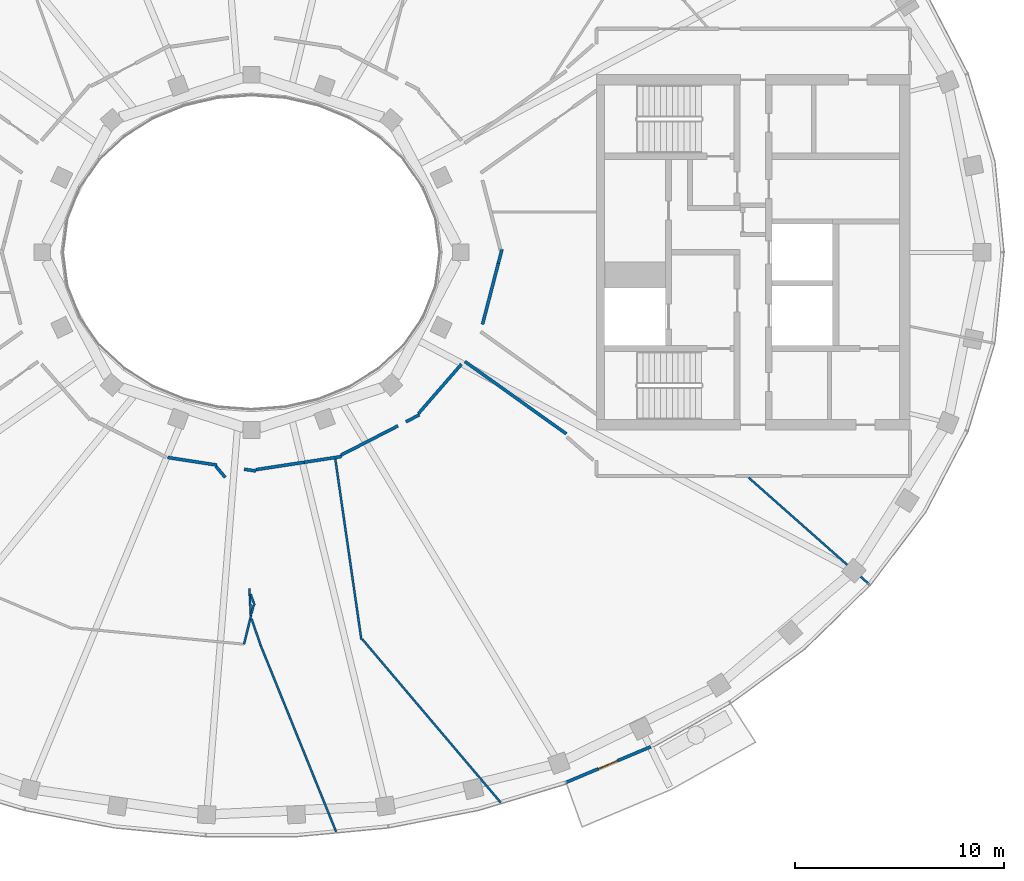
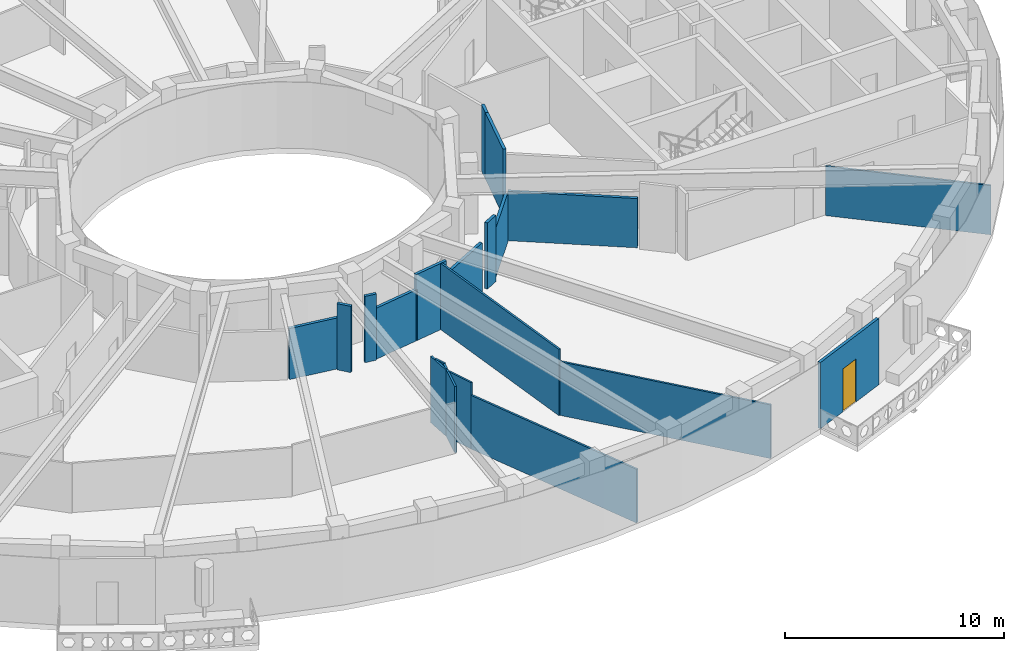
# One storey, part 6 of 18: 21 walls, 1 door, 1 opening.
"""IFC4 building model written with IfcOpenShell, lengths in metres."""

import ifcopenshell
import ifcopenshell.guid

model = None  # the IFC model being written
_history = None  # IfcOwnerHistory: only IFC2X3 demands one
_inside = {}  # id of a spatial element -> (the spatial element, [elements in it])
_under = {}  # id of a project, library or spatial element -> (it, [spatial elements below it])
_declared = {}  # id of a project -> (the project, [libraries it declares])
_typed = {}  # id of a type object -> (the type object, [elements of that type])
_made_of = {}  # id of a material, layer set ... -> (it, [elements and type objects made of it])


def new_model(schema):
    """Start an empty IFC model of exactly this schema.

    Asked for "IFC4X3", IfcOpenShell would pick the latest addendum, in which some entities
    have other attributes; the version numbers below select the first issue.
    IFC2X3 requires an IfcOwnerHistory on every rooted entity: one is made here for all.
    """
    global model, _history
    if schema == "IFC4X3":
        model = ifcopenshell.file(schema_version=(4, 3, 0, 0))
    else:
        model = ifcopenshell.file(schema=schema)
    _inside.clear()
    _under.clear()
    _declared.clear()
    _typed.clear()
    _made_of.clear()
    _history = None
    if model.schema == "IFC2X3":
        org = make("IfcOrganization", Name="unknown")
        user = make(
            "IfcPersonAndOrganization",
            ThePerson=make("IfcPerson", FamilyName="unknown"),
            TheOrganization=org,
        )
        app = make(
            "IfcApplication",
            ApplicationDeveloper=org,
            Version="unknown",
            ApplicationFullName="unknown",
            ApplicationIdentifier="unknown",
        )
        _history = make(
            "IfcOwnerHistory",
            OwningUser=user,
            OwningApplication=app,
            ChangeAction="ADDED",
            CreationDate=0,
        )
    return model


def make(cls, **values):
    """One entity of the class cls with the attributes given. An attribute that is None is left unset."""
    return model.create_entity(
        cls, **{name: value for name, value in values.items() if value is not None}
    )


def rooted(cls, **values):
    """An entity with a GlobalId (a new one), such as an element, a storey or a relation."""
    return make(cls, GlobalId=ifcopenshell.guid.new(), OwnerHistory=_history, **values)


def si_unit(unit_type, name, prefix=None):
    """IfcSIUnit, for example si_unit("LENGTHUNIT", "METRE", prefix="MILLI")."""
    return make("IfcSIUnit", UnitType=unit_type, Prefix=prefix, Name=name)


def assignment(units):
    """IfcUnitAssignment: the units of a project."""
    return None if units is None else make("IfcUnitAssignment", Units=units)


def point(xyz):
    """IfcCartesianPoint."""
    return None if xyz is None else make("IfcCartesianPoint", Coordinates=xyz)


def direction(xyz):
    """IfcDirection."""
    return None if xyz is None else make("IfcDirection", DirectionRatios=xyz)


def frame(location, z_axis=None, x_axis=None):
    """IfcAxis2Placement3D, a coordinate frame: its origin and axes. An axis left out is left unset."""
    return make(
        "IfcAxis2Placement3D",
        Location=point(location),
        Axis=direction(z_axis),
        RefDirection=direction(x_axis),
    )


def frame_2d(location, x_axis=None):
    """IfcAxis2Placement2D, a coordinate frame in the plane: its origin and x axis."""
    return make(
        "IfcAxis2Placement2D", Location=point(location), RefDirection=direction(x_axis)
    )


def origin():
    """The frame at (0, 0, 0) with its axes left unset."""
    return frame((0.0, 0.0, 0.0))


def place(relative_to, where):
    """IfcLocalPlacement: puts the frame where relative to a parent placement (None: the world)."""
    return make(
        "IfcLocalPlacement", PlacementRelTo=relative_to, RelativePlacement=where
    )


def context(
    kind, dimensions, precision=None, world=None, true_north=None, identifier=None
):
    """IfcGeometricRepresentationContext, for example the 3D "Model" context."""
    return make(
        "IfcGeometricRepresentationContext",
        ContextIdentifier=identifier,
        ContextType=kind,
        CoordinateSpaceDimension=dimensions,
        Precision=precision,
        WorldCoordinateSystem=world,
        TrueNorth=true_north,
    )


def subcontext(parent, identifier, kind, view, scale=None):
    """IfcGeometricRepresentationSubContext, for example "Body" below "Model"."""
    return make(
        "IfcGeometricRepresentationSubContext",
        ContextIdentifier=identifier,
        ContextType=kind,
        ParentContext=parent,
        TargetScale=scale,
        TargetView=view,
    )


def project(units=None, contexts=None):
    """IfcProject with its units and contexts."""
    return rooted(
        "IfcProject",
        Name="project",
        RepresentationContexts=contexts,
        UnitsInContext=assignment(units),
    )


def spatial(cls, under=None, at=None, **own):
    """A site, building, storey or space (cls), placed at a placement, below another one or the project."""
    s = rooted(cls, ObjectPlacement=at, **own)
    if under is not None:
        _under.setdefault(under.id(), (under, []))[1].append(s)
    return s


def profile(cls, at=None, kind="AREA", **sizes):
    """A parametric profile (cls). Its sizes go by their IFC names, for example OverallWidth=200.0."""
    return make(cls, ProfileType=kind, Position=at, **sizes)


def rectangle(**sizes):
    """IfcRectangleProfileDef."""
    return profile("IfcRectangleProfileDef", **sizes)


def extrude(swept, where, along, depth):
    """IfcExtrudedAreaSolid: the profile swept, set in the frame where, extruded along a direction by depth."""
    return make(
        "IfcExtrudedAreaSolid",
        SweptArea=swept,
        Position=where,
        ExtrudedDirection=direction(along),
        Depth=depth,
    )


def shape(context_of_items, identifier, shape_type, items):
    """IfcShapeRepresentation: the items that make up one representation, for example the "Body"."""
    return make(
        "IfcShapeRepresentation",
        ContextOfItems=context_of_items,
        RepresentationIdentifier=identifier,
        RepresentationType=shape_type,
        Items=items,
    )


def material(Name=None, Category=None):
    """IfcMaterial."""
    return make("IfcMaterial", Name=Name, Category=Category)


def layer(
    of_material, thickness, ventilated=None, Name=None, Category=None, Priority=None
):
    """IfcMaterialLayer: one layer of a wall or slab, of a material (None: an air gap)."""
    return make(
        "IfcMaterialLayer",
        Material=of_material,
        LayerThickness=thickness,
        IsVentilated=ventilated,
        Name=Name,
        Category=Category,
        Priority=Priority,
    )


def layer_set(layers, Name=None):
    """IfcMaterialLayerSet."""
    return make("IfcMaterialLayerSet", MaterialLayers=layers, LayerSetName=Name)


def made_of(thing, what):
    """Note that an element or type object is made of a material, layer set ...; save() writes the relation."""
    if what is not None:
        _made_of.setdefault(what.id(), (what, []))[1].append(thing)
    return thing


def type_object(cls, material=None, **own):
    """A type object (cls), such as IfcWallType, which elements share."""
    return made_of(rooted(cls, **own), material)


def element(
    cls,
    number,
    at=None,
    inside=None,
    cuts=None,
    type_object=None,
    material=None,
    context=None,
    identifier="Body",
    shape_type=None,
    held_by="IfcProductDefinitionShape",
    body=None,
    shapes=None,
    **own,
):
    """One element of the class cls, such as IfcWall. Its Tag is "e" and its number.

    at: its placement. inside: the storey or other place that contains it. cuts: it is an
    opening in that element (IfcRelVoidsElement). A single representation is given by context,
    identifier, shape_type and body (its items); several are given by shapes. held_by: the class
    of the entity that holds the representations. save() writes the other relations.
    """
    e = rooted(cls, Tag="e%d" % number, ObjectPlacement=at, **own)
    if body is not None:
        shapes = [shape(context, identifier, shape_type, body)]
    if shapes is not None:
        e.Representation = make(held_by, Representations=shapes)
    if inside is not None:
        _inside.setdefault(inside.id(), (inside, []))[1].append(e)
    if cuts is not None:
        rooted(
            "IfcRelVoidsElement", RelatingBuildingElement=cuts, RelatedOpeningElement=e
        )
    if type_object is not None:
        _typed.setdefault(type_object.id(), (type_object, []))[1].append(e)
    return made_of(e, material)


def fill(opening, filler):
    """IfcRelFillsElement: the door or window that sits in an opening."""
    return rooted(
        "IfcRelFillsElement",
        RelatingOpeningElement=opening,
        RelatedBuildingElement=filler,
    )


def aggregate(whole, parts):
    """IfcRelAggregates: a whole, such as a stair, and the parts it consists of."""
    return rooted("IfcRelAggregates", RelatingObject=whole, RelatedObjects=parts)


def save(model, path):
    """Write the relations noted so far, then the file.

    IfcRelAggregates (storeys below a building ...), IfcRelContainedInSpatialStructure (elements
    in a storey), IfcRelDefinesByType, IfcRelAssociatesMaterial and IfcRelDeclares: one each for
    every whole, place, type object, material and project.
    """
    for whole, parts in _under.values():
        aggregate(whole, parts)
    for where, things in _inside.values():
        rooted(
            "IfcRelContainedInSpatialStructure",
            RelatedElements=things,
            RelatingStructure=where,
        )
    for kind, things in _typed.values():
        rooted("IfcRelDefinesByType", RelatedObjects=things, RelatingType=kind)
    for what, things in _made_of.values():
        rooted("IfcRelAssociatesMaterial", RelatedObjects=things, RelatingMaterial=what)
    for by, libraries in _declared.values():
        rooted("IfcRelDeclares", RelatingContext=by, RelatedDefinitions=libraries)
    model.write(path)


model = new_model("IFC4")

# Units and contexts
model_context = context("Model", 3, precision=1e-05, world=origin(), true_north=direction((0.0, 1.0)))
body_context = subcontext(model_context, "Body", "Model", "MODEL_VIEW")
ifc_project = project(units=[si_unit("LENGTHUNIT", "METRE"), si_unit("AREAUNIT", "SQUARE_METRE"), si_unit("VOLUMEUNIT", "CUBIC_METRE"), si_unit("PLANEANGLEUNIT", "RADIAN"), si_unit("MASSUNIT", "GRAM", prefix="KILO")], contexts=[model_context])

# Site, building, storey
site_placement = place(None, origin())
site = spatial("IfcSite", under=ifc_project, at=site_placement, CompositionType="ELEMENT")
building_placement = place(site_placement, origin())
building = spatial("IfcBuilding", under=site, at=building_placement, Name="Noorbagh Ring Tower", CompositionType="ELEMENT")
storey_placement = place(building_placement, frame((0.0, 0.0, 319.0)))
storey = spatial("IfcBuildingStorey", under=building, at=storey_placement, Name="L69", CompositionType="ELEMENT", Elevation=319.0)

# Walls
ifc_material_1 = material(Name="Gypsum board on steel studs", Category="steel")
ifc_layer_1 = layer(ifc_material_1, 0.14990234375)
ifc_layer_set_1 = layer_set([ifc_layer_1], Name="Gypsum board on steel studs")
wall_type_1 = type_object("IfcWallType", Name="CORRIDOR PARTITION 150 EI 30", PredefinedType="PARTITIONING", material=ifc_layer_set_1)
wall_1_placement = place(storey_placement, frame((-4.010986328125, -9.81298828125, 0.0), z_axis=(0.0, 0.0, 1.0), x_axis=(0.988396550502, -0.151895552787, 0.0)))
element("IfcWall", 1, at=wall_1_placement, inside=storey, type_object=wall_type_1, Name="L69/wall/P43", PredefinedType="PARTITIONING", context=body_context, shape_type="SweptSolid", body=[
    extrude(rectangle(XDim=2.383544921875, YDim=0.14990234375, at=frame_2d((1.19189453125, 0.0))), origin(), (0.0, 0.0, 1.0), 2.85009765625),
])
wall_2_placement = place(storey_placement, frame((-1.698974609375, -10.243896484375, 0.0), z_axis=(0.0, 0.0, 1.0), x_axis=(0.646838916267, -0.762626655974, 0.0)))
element("IfcWall", 2, at=wall_2_placement, inside=storey, type_object=wall_type_1, Name="L69/wall/P44", PredefinedType="PARTITIONING", context=body_context, shape_type="SweptSolid", body=[
    extrude(rectangle(XDim=0.68310546875, YDim=0.14990234375, at=frame_2d((0.341552734375, 0.0))), origin(), (0.0, 0.0, 1.0), 3.699951171875),
])
wall_3_placement = place(storey_placement, frame((-0.34912109375, -10.375, 0.0), z_axis=(0.0, 0.0, 1.0), x_axis=(0.98872708804, -0.149728906283, 0.0)))
element("IfcWall", 3, at=wall_3_placement, inside=storey, type_object=wall_type_1, Name="L69/wall/P46", PredefinedType="PARTITIONING", context=body_context, shape_type="SweptSolid", body=[
    extrude(rectangle(XDim=0.5673828125, YDim=0.14990234375, at=frame_2d((0.28369140625, 0.0))), origin(), (0.0, 0.0, 1.0), 3.699951171875),
])
wall_4_placement = place(storey_placement, frame((0.2119140625, -10.39599609375, 0.0), z_axis=(0.0, 0.0, 1.0), x_axis=(0.988452196461, 0.151533017232, 0.0)))
element("IfcWall", 4, at=wall_4_placement, inside=storey, type_object=wall_type_1, Name="L69/wall/P53", PredefinedType="PARTITIONING", context=body_context, shape_type="SweptSolid", body=[
    extrude(rectangle(XDim=2.4150390625, YDim=0.14990234375, at=frame_2d((1.20751953125, 0.0))), origin(), (0.0, 0.0, 1.0), 2.85009765625),
])
wall_5_placement = place(storey_placement, frame((2.52099609375, -10.0419921875, 0.0), z_axis=(0.0, 0.0, 1.0), x_axis=(0.988396814715, 0.151893833519, 0.0)))
element("IfcWall", 5, at=wall_5_placement, inside=storey, type_object=wall_type_1, Name="L69/wall/P56", PredefinedType="PARTITIONING", context=body_context, shape_type="SweptSolid", body=[
    extrude(rectangle(XDim=1.796875, YDim=0.14990234375, at=frame_2d((0.8984375, 0.0))), origin(), (0.0, 0.0, 1.0), 3.699951171875),
])
wall_6_placement = place(storey_placement, frame((4.27587890625, -9.7041015625, 0.0), z_axis=(0.0, 0.0, 1.0), x_axis=(0.889338682752, 0.45724906491, 0.0)))
element("IfcWall", 6, at=wall_6_placement, inside=storey, type_object=wall_type_1, Name="L69/wall/P58", PredefinedType="PARTITIONING", context=body_context, shape_type="SweptSolid", body=[
    extrude(rectangle(XDim=3.06640625, YDim=0.14990234375, at=frame_2d((1.533203125, 0.0))), origin(), (0.0, 0.0, 1.0), 2.85009765625),
])
wall_7_placement = place(storey_placement, frame((7.385986328125, -8.10595703125, 0.0), z_axis=(0.0, 0.0, 1.0), x_axis=(0.888883911649, 0.458132504426, 0.0)))
element("IfcWall", 7, at=wall_7_placement, inside=storey, type_object=wall_type_1, Name="L69/wall/P62", PredefinedType="PARTITIONING", context=body_context, shape_type="SweptSolid", body=[
    extrude(rectangle(XDim=0.731201171875, YDim=0.14990234375, at=frame_2d((0.36572265625, 0.0))), origin(), (0.0, 0.0, 1.0), 3.699951171875),
])
wall_8_placement = place(storey_placement, frame((7.988037109375, -7.7109375, 0.0), z_axis=(0.0, 0.0, 1.0), x_axis=(0.656702027819, 0.754150148616, 0.0)))
element("IfcWall", 8, at=wall_8_placement, inside=storey, type_object=wall_type_1, Name="L69/wall/P64", PredefinedType="PARTITIONING", context=body_context, shape_type="SweptSolid", body=[
    extrude(rectangle(XDim=3.129150390625, YDim=0.14990234375, at=frame_2d((1.564453125, 0.0))), origin(), (0.0, 0.0, 1.0), 2.75),
])
wall_9_placement = place(storey_placement, frame((10.2080078125, -5.220947265625, 0.0), z_axis=(0.0, 0.0, 1.0), x_axis=(0.814106730479, -0.580715275663, 0.0)))
element("IfcWall", 9, at=wall_9_placement, inside=storey, type_object=wall_type_1, Name="L69/wall/P66", PredefinedType="PARTITIONING", context=body_context, shape_type="SweptSolid", body=[
    extrude(rectangle(XDim=5.963623046875, YDim=0.14990234375, at=frame_2d((2.98193359375, 0.0))), origin(), (0.0, 0.0, 1.0), 2.75),
])
wall_10_placement = place(storey_placement, frame((11.051025390625, -3.445068359375, 0.0), z_axis=(0.0, 0.0, 1.0), x_axis=(0.25119126736, 0.967937470709, 0.0)))
element("IfcWall", 10, at=wall_10_placement, inside=storey, type_object=wall_type_1, Name="L69/wall/P70", PredefinedType="PARTITIONING", context=body_context, shape_type="SweptSolid", body=[
    extrude(rectangle(XDim=3.0693359375, YDim=0.14990234375, at=frame_2d((1.53466796875, 0.0))), origin(), (0.0, 0.0, 1.0), 3.699951171875),
])
wall_11_placement = place(storey_placement, frame((11.81005859375, -0.51904296875, 0.0), z_axis=(0.0, 0.0, 1.0), x_axis=(0.251845889869, 0.967767352082, 0.0)))
element("IfcWall", 11, at=wall_11_placement, inside=storey, type_object=wall_type_1, Name="L69/wall/P73", PredefinedType="PARTITIONING", context=body_context, shape_type="SweptSolid", body=[
    extrude(rectangle(XDim=0.690185546875, YDim=0.14990234375, at=frame_2d((0.34521484375, 0.0))), origin(), (0.0, 0.0, 1.0), 3.699951171875),
])

# Wall, opening, door
ifc_material_2 = material(Name="Insulated aluminium clad panel", Category="aluminium")
ifc_layer_2 = layer(ifc_material_2, 0.14990234375)
ifc_layer_set_2 = layer_set([ifc_layer_2], Name="Insulated aluminium clad panel")
wall_type_2 = type_object("IfcWallType", Name="ENV-WALL-DOOR", PredefinedType="STANDARD", material=ifc_layer_set_2)
wall_12_placement = place(storey_placement, frame((15.017822265625, -25.368896484375, 0.0), z_axis=(0.0, 0.0, 1.0), x_axis=(0.921816985161, 0.387625393736, 0.0)))
wall_12 = element("IfcWall", 12, at=wall_12_placement, inside=storey, type_object=wall_type_2, Name="Balcony door wall chord 39", PredefinedType="STANDARD", context=body_context, shape_type="SweptSolid", body=[
    extrude(rectangle(XDim=4.42578125, YDim=0.14990234375, at=frame_2d((2.212890625, 0.0))), origin(), (0.0, 0.0, 1.0), 3.699951171875),
])
opening_placement = place(wall_12_placement, frame((1.712890625, 0.0, 0.0)))
opening = element("IfcOpeningElement", 13, at=opening_placement, cuts=wall_12, Name="Opening D-BL", PredefinedType="OPENING", context=body_context, shape_type="SweptSolid", body=[
    extrude(rectangle(XDim=1.0, YDim=2.39990234375, at=frame_2d((0.5, 1.199951171875))), frame((0.0, 0.0849609375, 0.0), z_axis=(0.0, -1.0, 0.0), x_axis=(1.0, 0.0, 0.0)), (0.0, 0.0, 1.0), 0.169921875),
])
ifc_material_3 = material(Name="Aluminium and glass", Category="aluminium")
door_type = type_object("IfcDoorType", Name="ENV-DOOR-BALCONY", OperationType="SINGLE_SWING_LEFT", PredefinedType="DOOR", material=ifc_material_3)
door_placement = place(opening_placement, origin())
door = element("IfcDoor", 14, at=door_placement, inside=storey, type_object=door_type, Name="Balcony door chord 39", OperationType="SINGLE_SWING_RIGHT", OverallHeight=2.39990234375, OverallWidth=1.0, PredefinedType="DOOR", context=body_context, shape_type="SweptSolid", body=[
    extrude(rectangle(XDim=1.0, YDim=2.39990234375, at=frame_2d((0.5, 1.199951171875))), frame((0.0, 0.02490234375, 0.0), z_axis=(0.0, -1.0, 0.0), x_axis=(1.0, 0.0, 0.0)), (0.0, 0.0, 1.0), 0.050048828125),
])
fill(opening, door)

# Walls
ifc_material_4 = material(Name="Gypsum board on steel studs", Category="steel")
ifc_layer_3 = layer(ifc_material_4, 0.10009765625)
ifc_layer_set_3 = layer_set([ifc_layer_3], Name="Gypsum board on steel studs")
wall_type_3 = type_object("IfcWallType", Name="PARTITION 100 GYPSUM", PredefinedType="PARTITIONING", material=ifc_layer_set_3)
wall_13_placement = place(storey_placement, frame((-0.35791015625, -18.7451171875, 0.0), z_axis=(0.0, 0.0, 1.0), x_axis=(0.239227791755, 0.970963471842, 0.0)))
element("IfcWall", 15, at=wall_13_placement, inside=storey, type_object=wall_type_3, Name="L69/wall/P45", PredefinedType="PARTITIONING", context=body_context, shape_type="SweptSolid", body=[
    extrude(rectangle(XDim=1.442138671875, YDim=0.10009765625, at=frame_2d((0.72119140625, 0.0))), origin(), (0.0, 0.0, 1.0), 3.699951171875),
])
wall_14_placement = place(storey_placement, frame((-0.097900390625, -16.072998046875, 0.0), z_axis=(0.0, 0.0, 1.0), x_axis=(0.047905659678, -0.998851864778, 0.0)))
element("IfcWall", 16, at=wall_14_placement, inside=storey, type_object=wall_type_3, Name="L69/wall/P48", PredefinedType="PARTITIONING", context=body_context, shape_type="SweptSolid", body=[
    extrude(rectangle(XDim=1.29443359375, YDim=0.10009765625, at=frame_2d((0.647216796875, 0.0))), origin(), (0.0, 0.0, 1.0), 3.699951171875),
])
wall_15_placement = place(storey_placement, frame((-0.0419921875, -16.35009765625, 0.0), z_axis=(0.0, 0.0, 1.0), x_axis=(0.339445104011, -0.940625866837, 0.0)))
element("IfcWall", 17, at=wall_15_placement, inside=storey, type_object=wall_type_3, Name="L69/wall/P49", PredefinedType="PARTITIONING", context=body_context, shape_type="SweptSolid", body=[
    extrude(rectangle(XDim=0.57177734375, YDim=0.10009765625, at=frame_2d((0.285888671875, 0.0))), origin(), (0.0, 0.0, 1.0), 3.699951171875),
])
wall_16_placement = place(storey_placement, frame((-0.0029296875, -17.51806640625, 0.0), z_axis=(0.0, 0.0, 1.0), x_axis=(0.326192493346, -0.945303367858, 0.0)))
element("IfcWall", 18, at=wall_16_placement, inside=storey, type_object=wall_type_3, Name="L69/wall/P50", PredefinedType="PARTITIONING", context=body_context, shape_type="SweptSolid", body=[
    extrude(rectangle(XDim=1.37939453125, YDim=0.10009765625, at=frame_2d((0.689697265625, 0.0))), origin(), (0.0, 0.0, 1.0), 3.699951171875),
])
wall_17_placement = place(storey_placement, frame((0.001953125, -17.283935546875, 0.0), z_axis=(0.0, 0.0, 1.0), x_axis=(0.240121592304, 0.970742819139, 0.0)))
element("IfcWall", 19, at=wall_17_placement, inside=storey, type_object=wall_type_3, Name="L69/wall/P51", PredefinedType="PARTITIONING", context=body_context, shape_type="SweptSolid", body=[
    extrude(rectangle(XDim=0.404541015625, YDim=0.10009765625, at=frame_2d((0.2021484375, 0.0))), origin(), (0.0, 0.0, 1.0), 3.699951171875),
])
wall_18_placement = place(storey_placement, frame((0.447021484375, -18.822021484375, 0.0), z_axis=(0.0, 0.0, 1.0), x_axis=(0.375291654354, -0.926906777498, 0.0)))
element("IfcWall", 20, at=wall_18_placement, inside=storey, type_object=wall_type_3, Name="L69/wall/P54", PredefinedType="PARTITIONING", context=body_context, shape_type="SweptSolid", body=[
    extrude(rectangle(XDim=9.595458984375, YDim=0.10009765625, at=frame_2d((4.7978515625, 0.0))), origin(), (0.0, 0.0, 1.0), 3.0),
])
wall_19_placement = place(storey_placement, frame((4.010009765625, -9.889892578125, 0.0), z_axis=(0.0, 0.0, 1.0), x_axis=(0.142916336901, -0.98973477288, 0.0)))
element("IfcWall", 21, at=wall_19_placement, inside=storey, type_object=wall_type_3, Name="L69/wall/P57", PredefinedType="PARTITIONING", context=body_context, shape_type="SweptSolid", body=[
    extrude(rectangle(XDim=8.732666015625, YDim=0.10009765625, at=frame_2d((4.3662109375, 0.0))), origin(), (0.0, 0.0, 1.0), 3.699951171875),
])
wall_20_placement = place(storey_placement, frame((5.305908203125, -18.511962890625, 0.0), z_axis=(0.0, 0.0, 1.0), x_axis=(0.646500054355, -0.762913939917, 0.0)))
element("IfcWall", 22, at=wall_20_placement, inside=storey, type_object=wall_type_3, Name="L69/wall/P60", PredefinedType="PARTITIONING", context=body_context, shape_type="SweptSolid", body=[
    extrude(rectangle(XDim=10.238525390625, YDim=0.10009765625, at=frame_2d((5.119140625, 0.0))), origin(), (0.0, 0.0, 1.0), 3.0),
])
wall_21_placement = place(storey_placement, frame((23.784912109375, -10.778076171875, 0.0), z_axis=(0.0, 0.0, 1.0), x_axis=(0.748985701008, -0.662586160198, 0.0)))
element("IfcWall", 23, at=wall_21_placement, inside=storey, type_object=wall_type_3, Name="L69/wall/P82", PredefinedType="PARTITIONING", context=body_context, shape_type="SweptSolid", body=[
    extrude(rectangle(XDim=7.72265625, YDim=0.10009765625, at=frame_2d((3.861328125, 0.0))), origin(), (0.0, 0.0, 1.0), 2.75),
])

save(model, "model.ifc")
